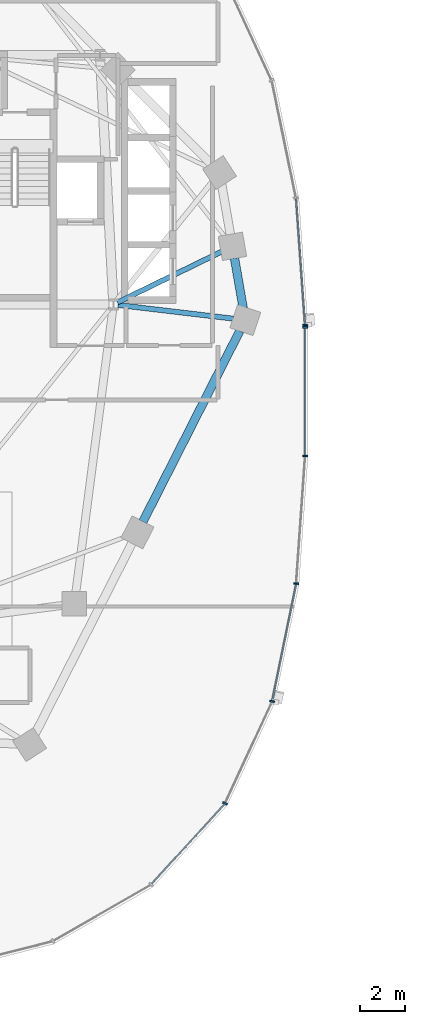
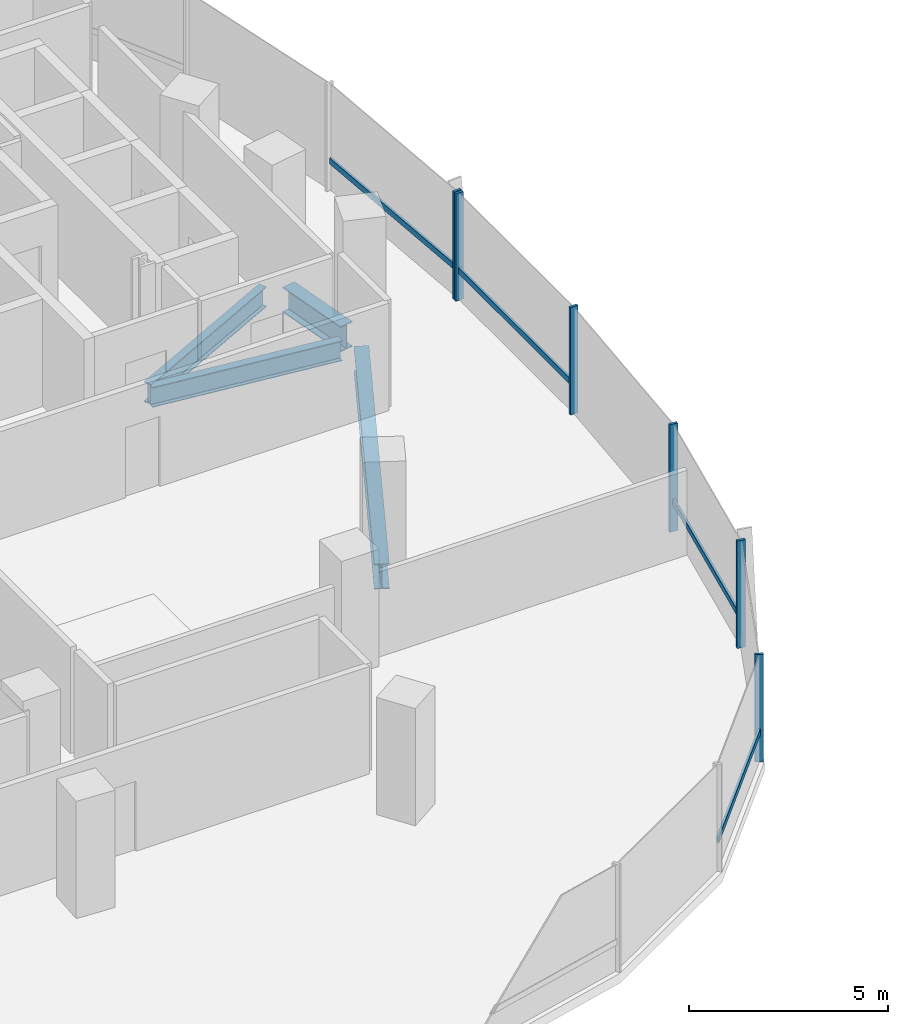
# One storey, part 3 of 21: 10 members, 4 beams, 2 elements without a shape of their own.
"""IFC4 building model written with IfcOpenShell, lengths in metres."""

from ifc_helpers import new_model, si_unit, direction, frame, origin, origin_2d, place, context, subcontext, project, spatial, rectangle, i_section, extrude, material, material_profile, profile_set, type_object, element, aggregate, save


model = new_model("IFC4")

# Units and contexts
model_context = context("Model", 3, precision=1e-05, world=origin(), true_north=direction((0.0, 1.0)))
body_context = subcontext(model_context, "Body", "Model", "MODEL_VIEW")
ifc_project = project(units=[si_unit("LENGTHUNIT", "METRE"), si_unit("AREAUNIT", "SQUARE_METRE"), si_unit("VOLUMEUNIT", "CUBIC_METRE"), si_unit("PLANEANGLEUNIT", "RADIAN"), si_unit("MASSUNIT", "GRAM", prefix="KILO"), si_unit("THERMODYNAMICTEMPERATUREUNIT", "KELVIN"), si_unit("POWERUNIT", "WATT")], contexts=[model_context])

# Site, building, storey
site_placement = place(None, origin())
site = spatial("IfcSite", under=ifc_project, at=site_placement, CompositionType="ELEMENT")
building_placement = place(site_placement, origin())
building = spatial("IfcBuilding", under=site, at=building_placement, Name="Cundina Bronze Exchange", CompositionType="ELEMENT")
storey_placement = place(building_placement, frame((0.0, 0.0, 92.60009765625)))
storey = spatial("IfcBuildingStorey", under=building, at=storey_placement, Name="L23", CompositionType="ELEMENT", Elevation=92.60009765625)

# Beams
ifc_material_1 = material(Name="Steel ASTM A992 Grade 50", Category="steel")
ifc_material_profile_1 = material_profile(ifc_material_1, i_section(OverallWidth=0.22998046875, OverallDepth=0.616943359375, WebThickness=0.01318359375, FlangeThickness=0.022216796875, FilletRadius=0.013916015625, at=origin_2d()), Name="W24X94", Category="steel")
ifc_profile_set_1 = profile_set([ifc_material_profile_1], Name="Steel ASTM A992 Grade 50")
beam_type_1 = type_object("IfcBeamType", Name="BM-FLR-W24B", PredefinedType="BEAM", material=ifc_profile_set_1)
beam_1_placement = place(storey_placement, frame((-21.247314453125, 3.8759765625, -0.608642578125), z_axis=(0.993035701683, -0.117813815752, 0.0), x_axis=(0.117813815752, 0.993035701683, 0.0)))
element("IfcBeam", 1, at=beam_1_placement, inside=storey, type_object=beam_type_1, Name="L23 Leg W Radial Floor Beam 00", PredefinedType="BEAM", context=body_context, shape_type="SweptSolid", body=[
    extrude(i_section(OverallWidth=0.22998046875, OverallDepth=0.616943359375, WebThickness=0.01318359375, FlangeThickness=0.022216796875, FilletRadius=0.013916015625, at=origin_2d()), origin(), (0.0, 0.0, 1.0), 5.19921875),
])
beam_2_placement = place(storey_placement, frame((-21.2666015625, 3.989501953125, -0.608642578125), z_axis=(0.898607246385, 0.438753936443, 0.0), x_axis=(-0.438753936443, 0.898607246385, 0.0)))
element("IfcBeam", 2, at=beam_2_placement, inside=storey, type_object=beam_type_1, Name="L23 Leg W Radial Floor Beam 01", PredefinedType="BEAM", context=body_context, shape_type="SweptSolid", body=[
    extrude(i_section(OverallWidth=0.22998046875, OverallDepth=0.616943359375, WebThickness=0.01318359375, FlangeThickness=0.022216796875, FilletRadius=0.013916015625, at=origin_2d()), origin(), (0.0, 0.0, 1.0), 5.183837890625),
])
ifc_material_profile_2 = material_profile(ifc_material_1, i_section(OverallWidth=0.381103515625, OverallDepth=0.77294921875, WebThickness=0.0166015625, FlangeThickness=0.027099609375, FilletRadius=0.01904296875, at=origin_2d()), Name="W30X173", Category="steel")
ifc_profile_set_2 = profile_set([ifc_material_profile_2], Name="Steel ASTM A992 Grade 50")
beam_type_2 = type_object("IfcBeamType", Name="BM-RING-W30", PredefinedType="USERDEFINED", material=ifc_profile_set_2)
beam_3_placement = place(storey_placement, frame((-15.642333984375, 3.72998046875, -0.6865234375), z_axis=(-0.171690078326, 0.985151012284, 0.0), x_axis=(-0.985151012284, -0.171690078326, 0.0)))
element("IfcBeam", 3, at=beam_3_placement, inside=storey, type_object=beam_type_2, Name="L23 W Perimeter Ring Girder 00", ObjectType="GIRDER", PredefinedType="USERDEFINED", context=body_context, shape_type="SweptSolid", body=[
    extrude(i_section(OverallWidth=0.381103515625, OverallDepth=0.77294921875, WebThickness=0.0166015625, FlangeThickness=0.027099609375, FilletRadius=0.01904296875, at=origin_2d()), origin(), (0.0, 0.0, 1.0), 2.273681640625),
])
beam_4_placement = place(storey_placement, frame((-20.13134765625, -5.8203125, -0.6865234375), z_axis=(0.452832332744, 0.891595692241, 0.0), x_axis=(-0.891595692241, 0.452832332744, 0.0)))
element("IfcBeam", 4, at=beam_4_placement, inside=storey, type_object=beam_type_2, Name="L23 W Perimeter Ring Girder 13", ObjectType="GIRDER", PredefinedType="USERDEFINED", context=body_context, shape_type="SweptSolid", body=[
    extrude(i_section(OverallWidth=0.381103515625, OverallDepth=0.77294921875, WebThickness=0.0166015625, FlangeThickness=0.027099609375, FilletRadius=0.01904296875, at=origin_2d()), origin(), (0.0, 0.0, 1.0), 9.578857421875),
])

# Curtain wall, member
ifc_material_2 = material(Name="Anodised Bronze Aluminium 6063-T6", Category="aluminium")
curtain_wall_type = type_object("IfcCurtainWallType", Name="CWS-TRD-MID", PredefinedType="NOTDEFINED", material=ifc_material_2)
curtain_wall_1_placement = place(storey_placement, origin())
curtain_wall_1 = element("IfcCurtainWall", 5, at=curtain_wall_1_placement, inside=storey, type_object=curtain_wall_type, Name="L23 CW-03 Curtain Wall Run CWR-L23-W1", PredefinedType="NOTDEFINED")
ifc_material_profile_3 = material_profile(ifc_material_2, rectangle(XDim=0.074951171875, YDim=0.219970703125, at=origin_2d()), Name="AL75X220", Category="aluminium")
ifc_profile_set_3 = profile_set([ifc_material_profile_3], Name="Anodised Bronze Aluminium 6063-T6")
member_type_1 = type_object("IfcMemberType", Name="CWM-MUL-220", PredefinedType="MULLION", material=ifc_profile_set_3)
member_1_placement = place(storey_placement, frame((-12.87548828125, 2.976318359375, 0.0), z_axis=(0.0, 0.0, 1.0), x_axis=(-0.070278787473, 0.997527389113, 0.0)))
member_1 = element("IfcMember", 6, at=member_1_placement, type_object=member_type_1, Name="CW-03 Mullion 1", PredefinedType="MULLION", context=body_context, shape_type="SweptSolid", body=[
    extrude(rectangle(XDim=0.074951171875, YDim=0.219970703125, at=origin_2d()), origin(), (0.0, 0.0, 1.0), 3.2998046875),
])

# Curtain wall, members
curtain_wall_2_placement = place(storey_placement, origin())
curtain_wall_2 = element("IfcCurtainWall", 7, at=curtain_wall_2_placement, inside=storey, type_object=curtain_wall_type, Name="L23 CW-03 Curtain Wall Run CWR-L23-W4", PredefinedType="NOTDEFINED")
member_2_placement = place(storey_placement, frame((-16.455810546875, -18.423583984375, 0.0), z_axis=(0.0, 0.0, 1.0), x_axis=(0.42087749791, 0.907117485088, 0.0)))
member_2 = element("IfcMember", 8, at=member_2_placement, type_object=member_type_1, Name="CW-03 Mullion 4", PredefinedType="MULLION", context=body_context, shape_type="SweptSolid", body=[
    extrude(rectangle(XDim=0.074951171875, YDim=0.219970703125, at=origin_2d()), origin(), (0.0, 0.0, 1.0), 3.2998046875),
])
member_3_placement = place(storey_placement, frame((-14.348876953125, -13.861328125, 0.0), z_axis=(0.0, 0.0, 1.0), x_axis=(0.201419845156, 0.979505000486, 0.0)))
member_3 = element("IfcMember", 9, at=member_3_placement, type_object=member_type_1, Name="CW-03 Mullion 5", PredefinedType="MULLION", context=body_context, shape_type="SweptSolid", body=[
    extrude(rectangle(XDim=0.074951171875, YDim=0.219970703125, at=origin_2d()), origin(), (0.0, 0.0, 1.0), 3.2998046875),
])
member_4_placement = place(storey_placement, frame((-13.27099609375, -8.591552734375, 0.0), z_axis=(0.0, 0.0, 1.0), x_axis=(0.070278787473, 0.997527389113, 0.0)))
member_4 = element("IfcMember", 10, at=member_4_placement, type_object=member_type_1, Name="CW-03 Mullion 6", PredefinedType="MULLION", context=body_context, shape_type="SweptSolid", body=[
    extrude(rectangle(XDim=0.074951171875, YDim=0.219970703125, at=origin_2d()), origin(), (0.0, 0.0, 1.0), 3.2998046875),
])
member_5_placement = place(storey_placement, frame((-12.8720703125, -2.880615234375, 0.0), z_axis=(0.0, 0.0, 1.0), x_axis=(0.0, 1.0, 0.0)))
member_5 = element("IfcMember", 11, at=member_5_placement, type_object=member_type_1, Name="CW-03 Mullion 7", PredefinedType="MULLION", context=body_context, shape_type="SweptSolid", body=[
    extrude(rectangle(XDim=0.074951171875, YDim=0.219970703125, at=origin_2d()), origin(), (0.0, 0.0, 1.0), 3.2998046875),
])
member_6_placement = place(storey_placement, frame((-12.8720703125, 2.880615234375, 0.0), z_axis=(0.0, 0.0, 1.0), x_axis=(0.0, 1.0, 0.0)))
member_6 = element("IfcMember", 12, at=member_6_placement, type_object=member_type_1, Name="CW-03 End Mullion", PredefinedType="MULLION", context=body_context, shape_type="SweptSolid", body=[
    extrude(rectangle(XDim=0.074951171875, YDim=0.219970703125, at=origin_2d()), origin(), (0.0, 0.0, 1.0), 3.2998046875),
])

# Member
ifc_material_profile_4 = material_profile(ifc_material_2, rectangle(XDim=0.070068359375, YDim=0.179931640625, at=origin_2d()), Name="AL70X180", Category="aluminium")
ifc_profile_set_4 = profile_set([ifc_material_profile_4], Name="Anodised Bronze Aluminium 6063-T6")
member_type_2 = type_object("IfcMemberType", Name="CWM-TRN-180", PredefinedType="USERDEFINED", material=ifc_profile_set_4)
member_7_placement = place(storey_placement, frame((-12.87841796875, 3.017333984375, 0.919921875), z_axis=(-0.070260714471, 0.997528662246, 0.0), x_axis=(-0.997528662246, -0.070260714471, 0.0)))
member_7 = element("IfcMember", 13, at=member_7_placement, type_object=member_type_2, Name="CW-03 Spandrel Transom 1", ObjectType="TRANSOM", PredefinedType="USERDEFINED", context=body_context, shape_type="SweptSolid", body=[
    extrude(rectangle(XDim=0.070068359375, YDim=0.179931640625, at=origin_2d()), origin(), (0.0, 0.0, 1.0), 5.629150390625),
])

aggregate(curtain_wall_1, [member_1, member_7])

member_8_placement = place(storey_placement, frame((-19.73291015625, -22.027099609375, 0.919921875), z_axis=(0.674302794847, 0.738454968743, 0.0), x_axis=(-0.738454968743, 0.674302794847, 0.0)))
member_8 = element("IfcMember", 14, at=member_8_placement, type_object=member_type_2, Name="CW-03 Spandrel Transom 3", ObjectType="TRANSOM", PredefinedType="USERDEFINED", context=body_context, shape_type="SweptSolid", body=[
    extrude(rectangle(XDim=0.070068359375, YDim=0.179931640625, at=origin_2d()), origin(), (0.0, 0.0, 1.0), 4.848388671875),
])

member_9_placement = place(storey_placement, frame((-14.340576171875, -13.821044921875, 0.919921875), z_axis=(0.201427712708, 0.979503382615, 0.0), x_axis=(-0.979503382615, 0.201427712708, 0.0)))
member_9 = element("IfcMember", 15, at=member_9_placement, type_object=member_type_2, Name="CW-03 Spandrel Transom 5", ObjectType="TRANSOM", PredefinedType="USERDEFINED", context=body_context, shape_type="SweptSolid", body=[
    extrude(rectangle(XDim=0.070068359375, YDim=0.179931640625, at=origin_2d()), origin(), (0.0, 0.0, 1.0), 5.291748046875),
])

member_10_placement = place(storey_placement, frame((-12.8720703125, -2.839111328125, 0.919921875), z_axis=(0.0, 1.0, 0.0), x_axis=(-1.0, 0.0, 0.0)))
member_10 = element("IfcMember", 16, at=member_10_placement, type_object=member_type_2, Name="CW-03 Spandrel Transom 7", ObjectType="TRANSOM", PredefinedType="USERDEFINED", context=body_context, shape_type="SweptSolid", body=[
    extrude(rectangle(XDim=0.070068359375, YDim=0.179931640625, at=origin_2d()), origin(), (0.0, 0.0, 1.0), 5.67822265625),
])

aggregate(curtain_wall_2, [member_8, member_2, member_3, member_9, member_4, member_5, member_6, member_10])

save(model, "model.ifc")
